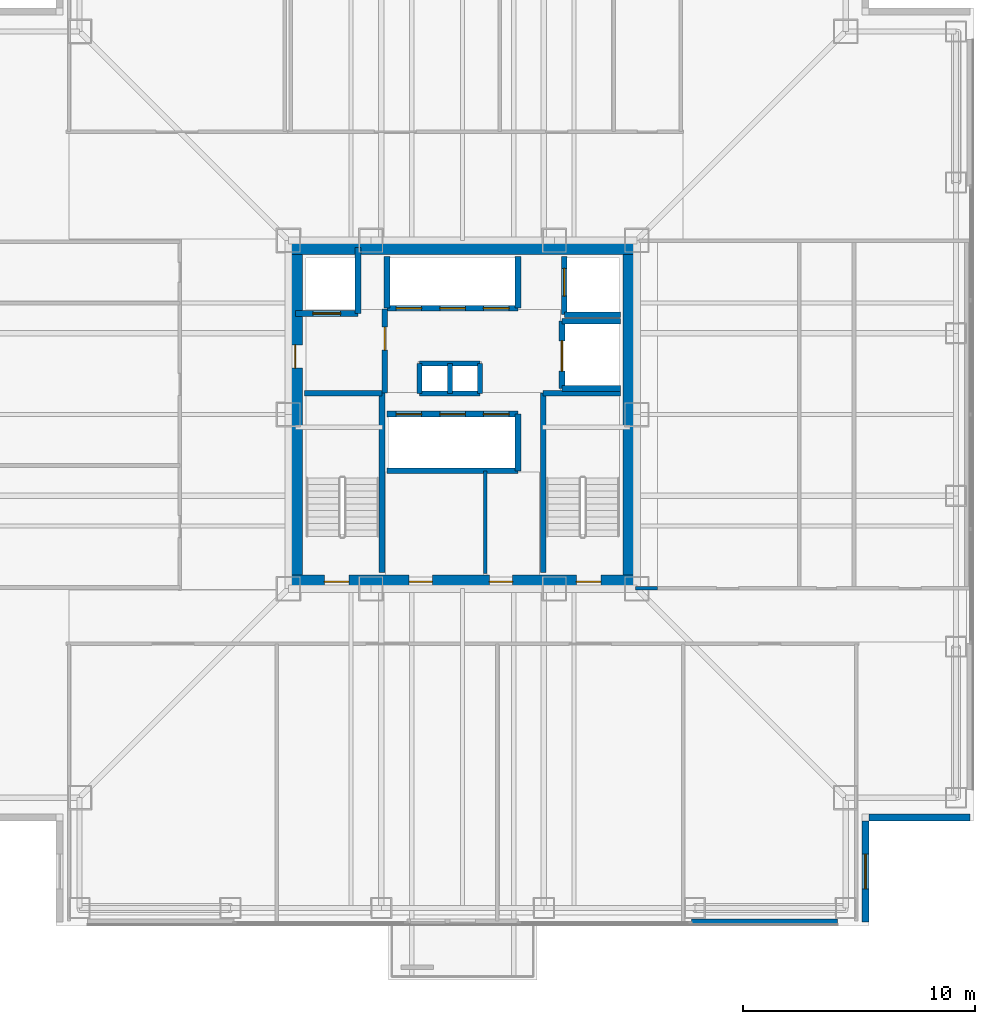
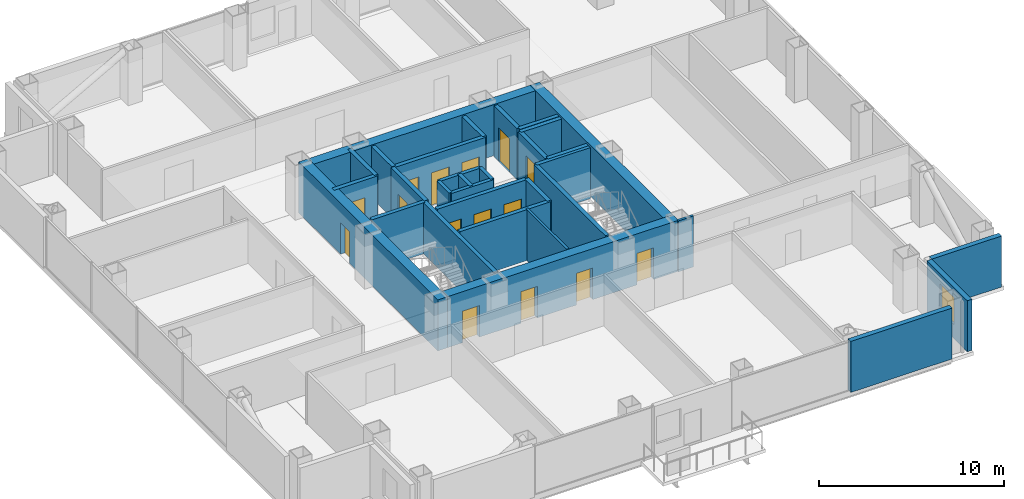
# One storey, part 10 of 14: 32 walls, 15 doors, 1 window, 16 openings.
"""IFC4 building model written with IfcOpenShell, lengths in metres."""

from ifc_helpers import new_model, si_unit, direction, frame, frame_2d, origin, place, context, subcontext, project, spatial, rectangle, extrude, material, layer, layer_set, type_object, element, fill, save


model = new_model("IFC4")

# Units and contexts
model_context = context("Model", 3, precision=1e-05, world=origin(), true_north=direction((0.0, 1.0)))
body_context = subcontext(model_context, "Body", "Model", "MODEL_VIEW")
ifc_project = project(units=[si_unit("LENGTHUNIT", "METRE"), si_unit("AREAUNIT", "SQUARE_METRE"), si_unit("VOLUMEUNIT", "CUBIC_METRE"), si_unit("PLANEANGLEUNIT", "RADIAN"), si_unit("MASSUNIT", "GRAM", prefix="KILO")], contexts=[model_context])

# Site, building, storey
site_placement = place(None, origin())
site = spatial("IfcSite", under=ifc_project, at=site_placement, CompositionType="ELEMENT")
building_placement = place(site_placement, origin())
building = spatial("IfcBuilding", under=site, at=building_placement, Name="Trevonay Congress Spire", CompositionType="ELEMENT")
storey_placement = place(building_placement, frame((0.0, 0.0, 133.60009765625)))
storey = spatial("IfcBuildingStorey", under=building, at=storey_placement, Name="L34", CompositionType="ELEMENT", Elevation=133.60009765625)

# Wall, openings, doors
ifc_material_1 = material(Name="Concrete C60/75", Category="concrete")
ifc_layer_1 = layer(ifc_material_1, 0.60009765625, Name="Concrete C60/75")
ifc_layer_set_1 = layer_set([ifc_layer_1], Name="Concrete C60/75")
wall_type_1 = type_object("IfcWallType", Name="WAL-CORE-600", PredefinedType="SHEAR", material=ifc_layer_set_1)
wall_1_placement = place(storey_placement, frame((-7.5, -7.199951171875, 0.0), z_axis=(0.0, 0.0, 1.0), x_axis=(1.0, 0.0, 0.0)))
wall_1 = element("IfcWall", 1, at=wall_1_placement, inside=storey, type_object=wall_type_1, Name="L34 South structural core shear wall", PredefinedType="SHEAR", context=body_context, shape_type="SweptSolid", body=[
    extrude(rectangle(XDim=15.0, YDim=0.60009765625, at=frame_2d((7.5, 0.0))), origin(), (0.0, 0.0, 1.0), 3.35986328125),
])
opening_1_placement = place(wall_1_placement, frame((1.550048828125, 0.0, 0.0)))
opening_1 = element("IfcOpeningElement", 2, at=opening_1_placement, cuts=wall_1, Name="Opening D05", PredefinedType="OPENING", context=body_context, shape_type="SweptSolid", body=[
    extrude(rectangle(XDim=1.050048828125, YDim=2.080078125, at=frame_2d((0.52490234375, 1.0400390625))), frame((0.0, 0.31005859375, 0.0), z_axis=(0.0, -1.0, 0.0), x_axis=(1.0, 0.0, 0.0)), (0.0, 0.0, 1.0), 0.6201171875),
])
opening_2_placement = place(wall_1_placement, frame((12.39990234375, 0.0, 0.0)))
opening_2 = element("IfcOpeningElement", 3, at=opening_2_placement, cuts=wall_1, Name="Opening D05", PredefinedType="OPENING", context=body_context, shape_type="SweptSolid", body=[
    extrude(rectangle(XDim=1.050048828125, YDim=2.080078125, at=frame_2d((0.52490234375, 1.0400390625))), frame((0.0, 0.31005859375, 0.0), z_axis=(0.0, -1.0, 0.0), x_axis=(1.0, 0.0, 0.0)), (0.0, 0.0, 1.0), 0.6201171875),
])
opening_3_placement = place(wall_1_placement, frame((5.199951171875, 0.0, 0.0)))
opening_3 = element("IfcOpeningElement", 4, at=opening_3_placement, cuts=wall_1, Name="Opening D06", PredefinedType="OPENING", context=body_context, shape_type="SweptSolid", body=[
    extrude(rectangle(XDim=1.0, YDim=2.080078125, at=frame_2d((0.5, 1.0400390625))), frame((0.0, 0.31005859375, 0.0), z_axis=(0.0, -1.0, 0.0), x_axis=(1.0, 0.0, 0.0)), (0.0, 0.0, 1.0), 0.6201171875),
])
opening_4_placement = place(wall_1_placement, frame((8.64990234375, 0.0, 0.0)))
opening_4 = element("IfcOpeningElement", 5, at=opening_4_placement, cuts=wall_1, Name="Opening D06", PredefinedType="OPENING", context=body_context, shape_type="SweptSolid", body=[
    extrude(rectangle(XDim=1.0, YDim=2.080078125, at=frame_2d((0.5, 1.0400390625))), frame((0.0, 0.31005859375, 0.0), z_axis=(0.0, -1.0, 0.0), x_axis=(1.0, 0.0, 0.0)), (0.0, 0.0, 1.0), 0.6201171875),
])
ifc_material_2 = material(Name="Steel ASTM A572 Grade 50", Category="steel")
door_type_1 = type_object("IfcDoorType", Name="DOR-FIRE-100", OperationType="NOTDEFINED", PredefinedType="DOOR", material=ifc_material_2)
door_1_placement = place(opening_3_placement, origin())
door_1 = element("IfcDoor", 6, at=door_1_placement, inside=storey, type_object=door_type_1, Name="L34 South Core Room 1 Door", OperationType="SINGLE_SWING_RIGHT", OverallHeight=2.080078125, OverallWidth=1.0, PredefinedType="DOOR", context=body_context, shape_type="SweptSolid", body=[
    extrude(rectangle(XDim=1.0, YDim=2.080078125, at=frame_2d((0.5, 1.0400390625))), frame((0.0, 0.02490234375, 0.0), z_axis=(0.0, -1.0, 0.0), x_axis=(1.0, 0.0, 0.0)), (0.0, 0.0, 1.0), 0.050048828125),
])
fill(opening_3, door_1)
door_2_placement = place(opening_4_placement, origin())
door_2 = element("IfcDoor", 7, at=door_2_placement, inside=storey, type_object=door_type_1, Name="L34 South Core Room 2 Door", OperationType="SINGLE_SWING_LEFT", OverallHeight=2.080078125, OverallWidth=1.0, PredefinedType="DOOR", context=body_context, shape_type="SweptSolid", body=[
    extrude(rectangle(XDim=1.0, YDim=2.080078125, at=frame_2d((0.5, 1.0400390625))), frame((0.0, 0.02490234375, 0.0), z_axis=(0.0, -1.0, 0.0), x_axis=(1.0, 0.0, 0.0)), (0.0, 0.0, 1.0), 0.050048828125),
])
fill(opening_4, door_2)
door_type_2 = type_object("IfcDoorType", Name="DOR-STAIR-110", OperationType="NOTDEFINED", PredefinedType="DOOR", material=ifc_material_2)
door_3_placement = place(opening_1_placement, origin())
door_3 = element("IfcDoor", 8, at=door_3_placement, inside=storey, type_object=door_type_2, Name="L34 Protected Stair ST-1 Door", OperationType="SINGLE_SWING_LEFT", OverallHeight=2.080078125, OverallWidth=1.050048828125, PredefinedType="DOOR", context=body_context, shape_type="SweptSolid", body=[
    extrude(rectangle(XDim=1.050048828125, YDim=2.080078125, at=frame_2d((0.52490234375, 1.0400390625))), frame((0.0, 0.02490234375, 0.0), z_axis=(0.0, -1.0, 0.0), x_axis=(1.0, 0.0, 0.0)), (0.0, 0.0, 1.0), 0.050048828125),
])
fill(opening_1, door_3)
door_4_placement = place(opening_2_placement, origin())
door_4 = element("IfcDoor", 9, at=door_4_placement, inside=storey, type_object=door_type_2, Name="L34 Protected Stair ST-2 Door", OperationType="SINGLE_SWING_RIGHT", OverallHeight=2.080078125, OverallWidth=1.050048828125, PredefinedType="DOOR", context=body_context, shape_type="SweptSolid", body=[
    extrude(rectangle(XDim=1.050048828125, YDim=2.080078125, at=frame_2d((0.52490234375, 1.0400390625))), frame((0.0, 0.02490234375, 0.0), z_axis=(0.0, -1.0, 0.0), x_axis=(1.0, 0.0, 0.0)), (0.0, 0.0, 1.0), 0.050048828125),
])
fill(opening_2, door_4)

# Wall
wall_2_placement = place(storey_placement, frame((-7.5, 7.199951171875, 0.0), z_axis=(0.0, 0.0, 1.0), x_axis=(1.0, 0.0, 0.0)))
element("IfcWall", 10, at=wall_2_placement, inside=storey, type_object=wall_type_1, Name="L34 North structural core shear wall", PredefinedType="SHEAR", context=body_context, shape_type="SweptSolid", body=[
    extrude(rectangle(XDim=15.0, YDim=0.60009765625, at=frame_2d((7.5, 0.0))), origin(), (0.0, 0.0, 1.0), 3.35986328125),
])

# Wall, opening, door
wall_3_placement = place(storey_placement, frame((-7.199951171875, -7.5, 0.0), z_axis=(0.0, 0.0, 1.0), x_axis=(0.0, 1.0, 0.0)))
wall_3 = element("IfcWall", 11, at=wall_3_placement, inside=storey, type_object=wall_type_1, Name="L34 West structural core shear wall", PredefinedType="SHEAR", context=body_context, shape_type="SweptSolid", body=[
    extrude(rectangle(XDim=15.0, YDim=0.60009765625, at=frame_2d((7.5, 0.0))), origin(), (0.0, 0.0, 1.0), 3.35986328125),
])
opening_5_placement = place(wall_3_placement, frame((9.5, 0.0, 0.0)))
opening_5 = element("IfcOpeningElement", 12, at=opening_5_placement, cuts=wall_3, Name="Opening D06", PredefinedType="OPENING", context=body_context, shape_type="SweptSolid", body=[
    extrude(rectangle(XDim=1.0, YDim=2.080078125, at=frame_2d((0.5, 1.0400390625))), frame((0.0, 0.31005859375, 0.0), z_axis=(0.0, -1.0, 0.0), x_axis=(1.0, 0.0, 0.0)), (0.0, 0.0, 1.0), 0.6201171875),
])
door_5_placement = place(opening_5_placement, origin())
door_5 = element("IfcDoor", 13, at=door_5_placement, inside=storey, type_object=door_type_1, Name="L34 Firefighting Lift Lobby West Corridor Door", OperationType="SINGLE_SWING_LEFT", OverallHeight=2.080078125, OverallWidth=1.0, PredefinedType="DOOR", context=body_context, shape_type="SweptSolid", body=[
    extrude(rectangle(XDim=1.0, YDim=2.080078125, at=frame_2d((0.5, 1.0400390625))), frame((0.0, 0.02490234375, 0.0), z_axis=(0.0, -1.0, 0.0), x_axis=(1.0, 0.0, 0.0)), (0.0, 0.0, 1.0), 0.050048828125),
])
fill(opening_5, door_5)

# Walls
wall_4_placement = place(storey_placement, frame((7.199951171875, -7.5, 0.0), z_axis=(0.0, 0.0, 1.0), x_axis=(0.0, 1.0, 0.0)))
element("IfcWall", 14, at=wall_4_placement, inside=storey, type_object=wall_type_1, Name="L34 East structural core shear wall", PredefinedType="SHEAR", context=body_context, shape_type="SweptSolid", body=[
    extrude(rectangle(XDim=15.0, YDim=0.60009765625, at=frame_2d((7.5, 0.0))), origin(), (0.0, 0.0, 1.0), 3.35986328125),
])
ifc_material_3 = material(Name="Concrete C40/50", Category="concrete")
ifc_layer_2 = layer(ifc_material_3, 0.14990234375, Name="Concrete C40/50")
ifc_layer_set_2 = layer_set([ifc_layer_2], Name="Concrete C40/50")
wall_type_2 = type_object("IfcWallType", Name="WAL-CORR-150", PredefinedType="PARTITIONING", material=ifc_layer_set_2)
wall_5_placement = place(storey_placement, frame((7.449951171875, -7.47998046875, 0.0), z_axis=(0.0, 0.0, 1.0), x_axis=(1.0, 0.0, 0.0)))
element("IfcWall", 15, at=wall_5_placement, inside=storey, type_object=wall_type_2, Name="L34 interior wall WP-L34E-STUB", PredefinedType="PARTITIONING", context=body_context, shape_type="SweptSolid", body=[
    extrude(rectangle(XDim=0.949951171875, YDim=0.14990234375, at=frame_2d((0.47509765625, 0.0))), origin(), (0.0, 0.0, 1.0), 3.35986328125),
])
ifc_material_4 = material(Name="Precast concrete C40/50", Category="concrete")
ifc_layer_3 = layer(ifc_material_4, 0.300048828125, Name="Precast concrete C40/50")
ifc_layer_set_3 = layer_set([ifc_layer_3], Name="Precast concrete C40/50")
wall_type_3 = type_object("IfcWallType", Name="WAL-EXT-PRECAST-300", PredefinedType="SOLIDWALL", material=ifc_layer_set_3)
wall_6_placement = place(storey_placement, frame((9.85009765625, -21.8798828125, 0.0), z_axis=(0.0, 0.0, 1.0), x_axis=(1.0, 0.0, 0.0)))
element("IfcWall", 16, at=wall_6_placement, inside=storey, type_object=wall_type_3, Name="L34 SR braced-bay exterior pier wall", PredefinedType="SOLIDWALL", context=body_context, shape_type="SweptSolid", body=[
    extrude(rectangle(XDim=6.2998046875, YDim=0.300048828125, at=frame_2d((3.14990234375, 0.0))), origin(), (0.0, 0.0, 1.0), 3.35986328125),
])

# Wall, opening, window
wall_7_placement = place(storey_placement, frame((17.35009765625, -21.85009765625, 0.0), z_axis=(0.0, 0.0, 1.0), x_axis=(0.0, 1.0, 0.0)))
wall_7 = element("IfcWall", 17, at=wall_7_placement, inside=storey, type_object=wall_type_3, Name="L34 SE re-entrant notch exterior wall 1", PredefinedType="SOLIDWALL", context=body_context, shape_type="SweptSolid", body=[
    extrude(rectangle(XDim=4.35009765625, YDim=0.300048828125, at=frame_2d((2.175048828125, 0.0))), origin(), (0.0, 0.0, 1.0), 3.35986328125),
])
opening_6_placement = place(wall_7_placement, frame((1.425048828125, 0.0, 0.89990234375)))
opening_6 = element("IfcOpeningElement", 18, at=opening_6_placement, cuts=wall_7, Name="Opening WN03", PredefinedType="OPENING", context=body_context, shape_type="SweptSolid", body=[
    extrude(rectangle(XDim=1.5, YDim=1.800048828125, at=frame_2d((0.75, 0.89990234375))), frame((0.0, 0.16015625, 0.0), z_axis=(0.0, -1.0, 0.0), x_axis=(1.0, 0.0, 0.0)), (0.0, 0.0, 1.0), 0.320068359375),
])
ifc_material_5 = material(Name="Insulated Low-E Vision Glass IGU", Category="glass")
window_type = type_object("IfcWindowType", Name="WIN-NOTCH-150X180", PartitioningType="SINGLE_PANEL", PredefinedType="WINDOW", material=ifc_material_5)
window_placement = place(opening_6_placement, origin())
window = element("IfcWindow", 19, at=window_placement, inside=storey, type_object=window_type, Name="L34 SE corner notch window", OverallHeight=1.800048828125, OverallWidth=1.5, PartitioningType="SINGLE_PANEL", PredefinedType="WINDOW", context=body_context, shape_type="SweptSolid", body=[
    extrude(rectangle(XDim=1.5, YDim=1.800048828125, at=frame_2d((0.75, 0.89990234375))), frame((0.0, 0.030029296875, 0.0), z_axis=(0.0, -1.0, 0.0), x_axis=(1.0, 0.0, 0.0)), (0.0, 0.0, 1.0), 0.06005859375),
])
fill(opening_6, window)

# Walls
wall_8_placement = place(storey_placement, frame((21.85009765625, -17.35009765625, 0.0), z_axis=(0.0, 0.0, 1.0), x_axis=(-1.0, 0.0, 0.0)))
element("IfcWall", 20, at=wall_8_placement, inside=storey, type_object=wall_type_3, Name="L34 SE re-entrant notch exterior wall 2", PredefinedType="SOLIDWALL", context=body_context, shape_type="SweptSolid", body=[
    extrude(rectangle(XDim=4.35009765625, YDim=0.300048828125, at=frame_2d((2.175048828125, 0.0))), origin(), (0.0, 0.0, 1.0), 3.35986328125),
])
ifc_layer_4 = layer(ifc_material_3, 0.14990234375, Name="Concrete C40/50")
ifc_layer_set_4 = layer_set([ifc_layer_4], Name="Concrete C40/50")
wall_type_4 = type_object("IfcWallType", Name="WAL-PART-150", PredefinedType="PARTITIONING", material=ifc_layer_set_4)
wall_9_placement = place(storey_placement, frame((0.97998046875, -6.85009765625, 0.0), z_axis=(0.0, 0.0, 1.0), x_axis=(0.0, 1.0, 0.0)))
element("IfcWall", 21, at=wall_9_placement, inside=storey, type_object=wall_type_4, Name="L34 interior wall CW-F3-L34", PredefinedType="PARTITIONING", context=body_context, shape_type="SweptSolid", body=[
    extrude(rectangle(XDim=4.420166015625, YDim=0.14990234375, at=frame_2d((2.2099609375, 0.0))), origin(), (0.0, 0.0, 1.0), 3.35986328125),
])
ifc_layer_5 = layer(ifc_material_3, 0.219970703125, Name="Concrete C40/50")
ifc_layer_set_5 = layer_set([ifc_layer_5], Name="Concrete C40/50")
wall_type_5 = type_object("IfcWallType", Name="WAL-SHAFT-220", PredefinedType="PARTITIONING", material=ifc_layer_set_5)
for number, where, z_axis, x_axis, name in (
    (22, (-1.85009765625, 2.199951171875, 0.0), (0.0, 0.0, 1.0), (1.0, 0.0, 0.0), "L34 interior shaft wall WSH-L34-RSR-N"),
    (23, (-1.85009765625, 0.89990234375, 0.0), (0.0, 0.0, 1.0), (1.0, 0.0, 0.0), "L34 interior shaft wall WSH-L34-RSR-S"),
):
    element("IfcWall", number, at=place(storey_placement, frame(where, z_axis=z_axis, x_axis=x_axis)), inside=storey, type_object=wall_type_5, Name=name, PredefinedType="PARTITIONING", context=body_context, shape_type="SweptSolid", body=[
        extrude(rectangle(XDim=2.60009765625, YDim=0.219970703125, at=frame_2d((1.300048828125, 0.0))), origin(), (0.0, 0.0, 1.0), 3.35986328125),
    ])
for number, where, z_axis, x_axis, name in (
    (24, (-0.550048828125, 0.89990234375, 0.0), (0.0, 0.0, 1.0), (0.0, 1.0, 0.0), "L34 interior shaft wall WSH-L34-RSR-M"),
    (25, (0.75, 0.89990234375, 0.0), (0.0, 0.0, 1.0), (0.0, 1.0, 0.0), "L34 interior shaft wall WSH-L34-RSR-E"),
    (26, (-1.85009765625, 0.89990234375, 0.0), (0.0, 0.0, 1.0), (0.0, 1.0, 0.0), "L34 interior shaft wall WSH-L34-RSR-W"),
):
    element("IfcWall", number, at=place(storey_placement, frame(where, z_axis=z_axis, x_axis=x_axis)), inside=storey, type_object=wall_type_5, Name=name, PredefinedType="PARTITIONING", context=body_context, shape_type="SweptSolid", body=[
        extrude(rectangle(XDim=1.300048828125, YDim=0.219970703125, at=frame_2d((0.64990234375, 0.0))), origin(), (0.0, 0.0, 1.0), 3.35986328125),
    ])

# Wall, openings, doors
ifc_layer_6 = layer(ifc_material_3, 0.25, Name="Concrete C40/50")
ifc_layer_set_6 = layer_set([ifc_layer_6], Name="Concrete C40/50")
wall_type_6 = type_object("IfcWallType", Name="WAL-SHAFT-250", PredefinedType="SHEAR", material=ifc_layer_set_6)
wall_10_placement = place(storey_placement, frame((-3.260009765625, 0.02001953125, 0.0), z_axis=(0.0, 0.0, 1.0), x_axis=(1.0, 0.0, 0.0)))
wall_10 = element("IfcWall", 27, at=wall_10_placement, inside=storey, type_object=wall_type_6, Name="L34 interior shaft wall WSH-L34-B2-N", PredefinedType="SHEAR", context=body_context, shape_type="SweptSolid", body=[
    extrude(rectangle(XDim=5.639892578125, YDim=0.25, at=frame_2d((2.81982421875, 0.0))), origin(), (0.0, 0.0, 1.0), 3.35986328125),
])
opening_7_placement = place(wall_10_placement, frame((0.39990234375, 0.0, 0.0)))
opening_7 = element("IfcOpeningElement", 28, at=opening_7_placement, cuts=wall_10, Name="Opening LD02", PredefinedType="OPENING", context=body_context, shape_type="SweptSolid", body=[
    extrude(rectangle(XDim=1.10009765625, YDim=2.199951171875, at=frame_2d((0.550048828125, 1.10009765625))), frame((0.0, 0.135009765625, 0.0), z_axis=(0.0, -1.0, 0.0), x_axis=(1.0, 0.0, 0.0)), (0.0, 0.0, 1.0), 0.27001953125),
])
opening_8_placement = place(wall_10_placement, frame((2.280029296875, 0.0, 0.0)))
opening_8 = element("IfcOpeningElement", 29, at=opening_8_placement, cuts=wall_10, Name="Opening LD02", PredefinedType="OPENING", context=body_context, shape_type="SweptSolid", body=[
    extrude(rectangle(XDim=1.10009765625, YDim=2.199951171875, at=frame_2d((0.550048828125, 1.10009765625))), frame((0.0, 0.135009765625, 0.0), z_axis=(0.0, -1.0, 0.0), x_axis=(1.0, 0.0, 0.0)), (0.0, 0.0, 1.0), 0.27001953125),
])
opening_9_placement = place(wall_10_placement, frame((4.159912109375, 0.0, 0.0)))
opening_9 = element("IfcOpeningElement", 30, at=opening_9_placement, cuts=wall_10, Name="Opening LD02", PredefinedType="OPENING", context=body_context, shape_type="SweptSolid", body=[
    extrude(rectangle(XDim=1.10009765625, YDim=2.199951171875, at=frame_2d((0.550048828125, 1.10009765625))), frame((0.0, 0.135009765625, 0.0), z_axis=(0.0, -1.0, 0.0), x_axis=(1.0, 0.0, 0.0)), (0.0, 0.0, 1.0), 0.27001953125),
])
ifc_material_6 = material(Name="Pale Anodised Aluminium EN AW-6063-T6", Category="aluminium")
door_type_3 = type_object("IfcDoorType", Name="DOR-LIFT-LD02", OperationType="DOUBLE_DOOR_SLIDING", PredefinedType="DOOR", material=ifc_material_6)
door_6_placement = place(opening_7_placement, origin())
door_6 = element("IfcDoor", 31, at=door_6_placement, inside=storey, type_object=door_type_3, Name="L34 Passenger lift PL-04 landing door", OperationType="DOUBLE_DOOR_SLIDING", OverallHeight=2.199951171875, OverallWidth=1.10009765625, PredefinedType="DOOR", context=body_context, shape_type="SweptSolid", body=[
    extrude(rectangle(XDim=1.10009765625, YDim=2.199951171875, at=frame_2d((0.550048828125, 1.10009765625))), frame((0.0, 0.02490234375, 0.0), z_axis=(0.0, -1.0, 0.0), x_axis=(1.0, 0.0, 0.0)), (0.0, 0.0, 1.0), 0.050048828125),
])
fill(opening_7, door_6)
door_7_placement = place(opening_8_placement, origin())
door_7 = element("IfcDoor", 32, at=door_7_placement, inside=storey, type_object=door_type_3, Name="L34 Passenger lift PL-05 landing door", OperationType="DOUBLE_DOOR_SLIDING", OverallHeight=2.199951171875, OverallWidth=1.10009765625, PredefinedType="DOOR", context=body_context, shape_type="SweptSolid", body=[
    extrude(rectangle(XDim=1.10009765625, YDim=2.199951171875, at=frame_2d((0.550048828125, 1.10009765625))), frame((0.0, 0.02490234375, 0.0), z_axis=(0.0, -1.0, 0.0), x_axis=(1.0, 0.0, 0.0)), (0.0, 0.0, 1.0), 0.050048828125),
])
fill(opening_8, door_7)
door_8_placement = place(opening_9_placement, origin())
door_8 = element("IfcDoor", 33, at=door_8_placement, inside=storey, type_object=door_type_3, Name="L34 Passenger lift PL-06 landing door", OperationType="DOUBLE_DOOR_SLIDING", OverallHeight=2.199951171875, OverallWidth=1.10009765625, PredefinedType="DOOR", context=body_context, shape_type="SweptSolid", body=[
    extrude(rectangle(XDim=1.10009765625, YDim=2.199951171875, at=frame_2d((0.550048828125, 1.10009765625))), frame((0.0, 0.02490234375, 0.0), z_axis=(0.0, -1.0, 0.0), x_axis=(1.0, 0.0, 0.0)), (0.0, 0.0, 1.0), 0.050048828125),
])
fill(opening_9, door_8)

# Walls
wall_11_placement = place(storey_placement, frame((-3.260009765625, -2.419921875, 0.0), z_axis=(0.0, 0.0, 1.0), x_axis=(1.0, 0.0, 0.0)))
element("IfcWall", 34, at=wall_11_placement, inside=storey, type_object=wall_type_6, Name="L34 interior shaft wall WSH-L34-B2-S", PredefinedType="SHEAR", context=body_context, shape_type="SweptSolid", body=[
    extrude(rectangle(XDim=5.639892578125, YDim=0.25, at=frame_2d((2.81982421875, 0.0))), origin(), (0.0, 0.0, 1.0), 3.35986328125),
])
wall_12_placement = place(storey_placement, frame((2.3798828125, -2.419921875, 0.0), z_axis=(0.0, 0.0, 1.0), x_axis=(0.0, 1.0, 0.0)))
element("IfcWall", 35, at=wall_12_placement, inside=storey, type_object=wall_type_6, Name="L34 interior shaft wall WSH-L34-B2-E", PredefinedType="SHEAR", context=body_context, shape_type="SweptSolid", body=[
    extrude(rectangle(XDim=2.43994140625, YDim=0.25, at=frame_2d((1.219970703125, 0.0))), origin(), (0.0, 0.0, 1.0), 3.35986328125),
])

# Wall, openings, doors
wall_13_placement = place(storey_placement, frame((-3.260009765625, 4.580078125, 0.0), z_axis=(0.0, 0.0, 1.0), x_axis=(1.0, 0.0, 0.0)))
wall_13 = element("IfcWall", 36, at=wall_13_placement, inside=storey, type_object=wall_type_6, Name="L34 interior shaft wall WSH-L34-B3-S", PredefinedType="SHEAR", context=body_context, shape_type="SweptSolid", body=[
    extrude(rectangle(XDim=5.639892578125, YDim=0.25, at=frame_2d((2.81982421875, 0.0))), origin(), (0.0, 0.0, 1.0), 3.35986328125),
])
opening_10_placement = place(wall_13_placement, frame((0.39990234375, 0.0, 0.0)))
opening_10 = element("IfcOpeningElement", 37, at=opening_10_placement, cuts=wall_13, Name="Opening LD03", PredefinedType="OPENING", context=body_context, shape_type="SweptSolid", body=[
    extrude(rectangle(XDim=1.10009765625, YDim=2.199951171875, at=frame_2d((0.550048828125, 1.10009765625))), frame((0.0, 0.135009765625, 0.0), z_axis=(0.0, -1.0, 0.0), x_axis=(1.0, 0.0, 0.0)), (0.0, 0.0, 1.0), 0.27001953125),
])
opening_11_placement = place(wall_13_placement, frame((2.280029296875, 0.0, 0.0)))
opening_11 = element("IfcOpeningElement", 38, at=opening_11_placement, cuts=wall_13, Name="Opening LD03", PredefinedType="OPENING", context=body_context, shape_type="SweptSolid", body=[
    extrude(rectangle(XDim=1.10009765625, YDim=2.199951171875, at=frame_2d((0.550048828125, 1.10009765625))), frame((0.0, 0.135009765625, 0.0), z_axis=(0.0, -1.0, 0.0), x_axis=(1.0, 0.0, 0.0)), (0.0, 0.0, 1.0), 0.27001953125),
])
opening_12_placement = place(wall_13_placement, frame((4.159912109375, 0.0, 0.0)))
opening_12 = element("IfcOpeningElement", 39, at=opening_12_placement, cuts=wall_13, Name="Opening LD03", PredefinedType="OPENING", context=body_context, shape_type="SweptSolid", body=[
    extrude(rectangle(XDim=1.10009765625, YDim=2.199951171875, at=frame_2d((0.550048828125, 1.10009765625))), frame((0.0, 0.135009765625, 0.0), z_axis=(0.0, -1.0, 0.0), x_axis=(1.0, 0.0, 0.0)), (0.0, 0.0, 1.0), 0.27001953125),
])
door_type_4 = type_object("IfcDoorType", Name="DOR-LIFT-LD03", OperationType="DOUBLE_DOOR_SLIDING", PredefinedType="DOOR", material=ifc_material_6)
door_9_placement = place(opening_10_placement, origin())
door_9 = element("IfcDoor", 40, at=door_9_placement, inside=storey, type_object=door_type_4, Name="L34 Passenger lift PL-07 landing door", OperationType="DOUBLE_DOOR_SLIDING", OverallHeight=2.199951171875, OverallWidth=1.10009765625, PredefinedType="DOOR", context=body_context, shape_type="SweptSolid", body=[
    extrude(rectangle(XDim=1.10009765625, YDim=2.199951171875, at=frame_2d((0.550048828125, 1.10009765625))), frame((0.0, 0.02490234375, 0.0), z_axis=(0.0, -1.0, 0.0), x_axis=(1.0, 0.0, 0.0)), (0.0, 0.0, 1.0), 0.050048828125),
])
fill(opening_10, door_9)
door_10_placement = place(opening_11_placement, origin())
door_10 = element("IfcDoor", 41, at=door_10_placement, inside=storey, type_object=door_type_4, Name="L34 Passenger lift PL-08 landing door", OperationType="DOUBLE_DOOR_SLIDING", OverallHeight=2.199951171875, OverallWidth=1.10009765625, PredefinedType="DOOR", context=body_context, shape_type="SweptSolid", body=[
    extrude(rectangle(XDim=1.10009765625, YDim=2.199951171875, at=frame_2d((0.550048828125, 1.10009765625))), frame((0.0, 0.02490234375, 0.0), z_axis=(0.0, -1.0, 0.0), x_axis=(1.0, 0.0, 0.0)), (0.0, 0.0, 1.0), 0.050048828125),
])
fill(opening_11, door_10)
door_11_placement = place(opening_12_placement, origin())
door_11 = element("IfcDoor", 42, at=door_11_placement, inside=storey, type_object=door_type_4, Name="L34 Passenger lift PL-09 landing door", OperationType="DOUBLE_DOOR_SLIDING", OverallHeight=2.199951171875, OverallWidth=1.10009765625, PredefinedType="DOOR", context=body_context, shape_type="SweptSolid", body=[
    extrude(rectangle(XDim=1.10009765625, YDim=2.199951171875, at=frame_2d((0.550048828125, 1.10009765625))), frame((0.0, 0.02490234375, 0.0), z_axis=(0.0, -1.0, 0.0), x_axis=(1.0, 0.0, 0.0)), (0.0, 0.0, 1.0), 0.050048828125),
])
fill(opening_12, door_11)

# Walls
for number, where, z_axis, x_axis, name in (
    (43, (-3.260009765625, 4.580078125, 0.0), (0.0, 0.0, 1.0), (0.0, 1.0, 0.0), "L34 interior shaft wall WSH-L34-B3-W"),
    (44, (2.3798828125, 4.580078125, 0.0), (0.0, 0.0, 1.0), (0.0, 1.0, 0.0), "L34 interior shaft wall WSH-L34-B3-E"),
):
    element("IfcWall", number, at=place(storey_placement, frame(where, z_axis=z_axis, x_axis=x_axis)), inside=storey, type_object=wall_type_6, Name=name, PredefinedType="SHEAR", context=body_context, shape_type="SweptSolid", body=[
        extrude(rectangle(XDim=2.219970703125, YDim=0.25, at=frame_2d((1.10986328125, 0.0))), origin(), (0.0, 0.0, 1.0), 3.35986328125),
    ])

# Wall, opening, door
wall_14_placement = place(storey_placement, frame((-7.199951171875, 4.35009765625, 0.0), z_axis=(0.0, 0.0, 1.0), x_axis=(1.0, 0.0, 0.0)))
wall_14 = element("IfcWall", 45, at=wall_14_placement, inside=storey, type_object=wall_type_6, Name="L34 interior shaft wall WSH-L34-FF1-S", PredefinedType="SHEAR", context=body_context, shape_type="SweptSolid", body=[
    extrude(rectangle(XDim=2.699951171875, YDim=0.25, at=frame_2d((1.35009765625, 0.0))), origin(), (0.0, 0.0, 1.0), 3.35986328125),
])
opening_13_placement = place(wall_14_placement, frame((0.75, 0.0, 0.0)))
opening_13 = element("IfcOpeningElement", 46, at=opening_13_placement, cuts=wall_14, Name="Opening LD04", PredefinedType="OPENING", context=body_context, shape_type="SweptSolid", body=[
    extrude(rectangle(XDim=1.199951171875, YDim=2.199951171875, at=frame_2d((0.60009765625, 1.10009765625))), frame((0.0, 0.135009765625, 0.0), z_axis=(0.0, -1.0, 0.0), x_axis=(1.0, 0.0, 0.0)), (0.0, 0.0, 1.0), 0.27001953125),
])
door_type_5 = type_object("IfcDoorType", Name="DOR-LIFT-LD04", OperationType="DOUBLE_DOOR_SLIDING", PredefinedType="DOOR", material=ifc_material_2)
door_12_placement = place(opening_13_placement, origin())
door_12 = element("IfcDoor", 47, at=door_12_placement, inside=storey, type_object=door_type_5, Name="L34 Firefighting lift FFL-01 landing door", OperationType="DOUBLE_DOOR_SLIDING", OverallHeight=2.199951171875, OverallWidth=1.199951171875, PredefinedType="DOOR", context=body_context, shape_type="SweptSolid", body=[
    extrude(rectangle(XDim=1.199951171875, YDim=2.199951171875, at=frame_2d((0.60009765625, 1.10009765625))), frame((0.0, 0.02490234375, 0.0), z_axis=(0.0, -1.0, 0.0), x_axis=(1.0, 0.0, 0.0)), (0.0, 0.0, 1.0), 0.050048828125),
])
fill(opening_13, door_12)

# Walls
wall_15_placement = place(storey_placement, frame((-4.5, 4.35009765625, 0.0), z_axis=(0.0, 0.0, 1.0), x_axis=(0.0, 1.0, 0.0)))
element("IfcWall", 48, at=wall_15_placement, inside=storey, type_object=wall_type_6, Name="L34 interior shaft wall WSH-L34-FF1-E", PredefinedType="SHEAR", context=body_context, shape_type="SweptSolid", body=[
    extrude(rectangle(XDim=2.849853515625, YDim=0.25, at=frame_2d((1.4248046875, 0.0))), origin(), (0.0, 0.0, 1.0), 3.35986328125),
])
wall_16_placement = place(storey_placement, frame((4.3798828125, 4.300048828125, 0.0), z_axis=(0.0, 0.0, 1.0), x_axis=(1.0, 0.0, 0.0)))
element("IfcWall", 49, at=wall_16_placement, inside=storey, type_object=wall_type_6, Name="L34 interior shaft wall WSH-L34-FF2-S", PredefinedType="SHEAR", context=body_context, shape_type="SweptSolid", body=[
    extrude(rectangle(XDim=2.420166015625, YDim=0.25, at=frame_2d((1.2099609375, 0.0))), origin(), (0.0, 0.0, 1.0), 3.35986328125),
])

# Wall, opening, door
wall_17_placement = place(storey_placement, frame((4.3798828125, 4.300048828125, 0.0), z_axis=(0.0, 0.0, 1.0), x_axis=(0.0, 1.0, 0.0)))
wall_17 = element("IfcWall", 50, at=wall_17_placement, inside=storey, type_object=wall_type_6, Name="L34 interior shaft wall WSH-L34-FF2-W", PredefinedType="SHEAR", context=body_context, shape_type="SweptSolid", body=[
    extrude(rectangle(XDim=2.5, YDim=0.25, at=frame_2d((1.25, 0.0))), origin(), (0.0, 0.0, 1.0), 3.35986328125),
])
opening_14_placement = place(wall_17_placement, frame((0.800048828125, 0.0, 0.0)))
opening_14 = element("IfcOpeningElement", 51, at=opening_14_placement, cuts=wall_17, Name="Opening LD04", PredefinedType="OPENING", context=body_context, shape_type="SweptSolid", body=[
    extrude(rectangle(XDim=1.199951171875, YDim=2.199951171875, at=frame_2d((0.60009765625, 1.10009765625))), frame((0.0, 0.135009765625, 0.0), z_axis=(0.0, -1.0, 0.0), x_axis=(1.0, 0.0, 0.0)), (0.0, 0.0, 1.0), 0.27001953125),
])
door_13_placement = place(opening_14_placement, origin())
door_13 = element("IfcDoor", 52, at=door_13_placement, inside=storey, type_object=door_type_5, Name="L34 Firefighting lift FFL-02 landing door", OperationType="DOUBLE_DOOR_SLIDING", OverallHeight=2.199951171875, OverallWidth=1.199951171875, PredefinedType="DOOR", context=body_context, shape_type="SweptSolid", body=[
    extrude(rectangle(XDim=1.199951171875, YDim=2.199951171875, at=frame_2d((0.60009765625, 1.10009765625))), frame((0.0, 0.02490234375, 0.0), z_axis=(0.0, -1.0, 0.0), x_axis=(1.0, 0.0, 0.0)), (0.0, 0.0, 1.0), 0.050048828125),
])
fill(opening_14, door_13)

wall_18_placement = place(storey_placement, frame((4.280029296875, 1.1201171875, 0.0), z_axis=(0.0, 0.0, 1.0), x_axis=(0.0, 1.0, 0.0)))
wall_18 = element("IfcWall", 53, at=wall_18_placement, inside=storey, type_object=wall_type_6, Name="L34 interior shaft wall WSH-L34-SV-W", PredefinedType="SHEAR", context=body_context, shape_type="SweptSolid", body=[
    extrude(rectangle(XDim=2.89990234375, YDim=0.25, at=frame_2d((1.449951171875, 0.0))), origin(), (0.0, 0.0, 1.0), 3.35986328125),
])
opening_15_placement = place(wall_18_placement, frame((0.75, 0.0, 0.0)))
opening_15 = element("IfcOpeningElement", 54, at=opening_15_placement, cuts=wall_18, Name="Opening LD05", PredefinedType="OPENING", context=body_context, shape_type="SweptSolid", body=[
    extrude(rectangle(XDim=1.300048828125, YDim=2.300048828125, at=frame_2d((0.64990234375, 1.14990234375))), frame((0.0, 0.135009765625, 0.0), z_axis=(0.0, -1.0, 0.0), x_axis=(1.0, 0.0, 0.0)), (0.0, 0.0, 1.0), 0.27001953125),
])
door_type_6 = type_object("IfcDoorType", Name="DOR-LIFT-LD05", OperationType="DOUBLE_DOOR_SLIDING", PredefinedType="DOOR", material=ifc_material_2)
door_14_placement = place(opening_15_placement, origin())
door_14 = element("IfcDoor", 55, at=door_14_placement, inside=storey, type_object=door_type_6, Name="L34 Goods lift SVL-01 landing door", OperationType="DOUBLE_DOOR_SLIDING", OverallHeight=2.300048828125, OverallWidth=1.300048828125, PredefinedType="DOOR", context=body_context, shape_type="SweptSolid", body=[
    extrude(rectangle(XDim=1.300048828125, YDim=2.300048828125, at=frame_2d((0.64990234375, 1.14990234375))), frame((0.0, 0.02490234375, 0.0), z_axis=(0.0, -1.0, 0.0), x_axis=(1.0, 0.0, 0.0)), (0.0, 0.0, 1.0), 0.050048828125),
])
fill(opening_15, door_14)

# Walls
for number, where, z_axis, x_axis, name in (
    (56, (4.280029296875, 1.1201171875, 0.0), (0.0, 0.0, 1.0), (1.0, 0.0, 0.0), "L34 interior shaft wall WSH-L34-SV-S"),
    (57, (4.280029296875, 4.02001953125, 0.0), (0.0, 0.0, 1.0), (1.0, 0.0, 0.0), "L34 interior shaft wall WSH-L34-SV-N"),
):
    element("IfcWall", number, at=place(storey_placement, frame(where, z_axis=z_axis, x_axis=x_axis)), inside=storey, type_object=wall_type_6, Name=name, PredefinedType="SHEAR", context=body_context, shape_type="SweptSolid", body=[
        extrude(rectangle(XDim=2.52001953125, YDim=0.25, at=frame_2d((1.260009765625, 0.0))), origin(), (0.0, 0.0, 1.0), 3.35986328125),
    ])

# Wall, opening, door
wall_19_placement = place(storey_placement, frame((-3.35009765625, 0.919921875, 0.0), z_axis=(0.0, 0.0, 1.0), x_axis=(0.0, 1.0, 0.0)))
wall_19 = element("IfcWall", 58, at=wall_19_placement, inside=storey, type_object=wall_type_6, Name="L34 interior wall CW-FFLW-E-L34", PredefinedType="SHEAR", context=body_context, shape_type="SweptSolid", body=[
    extrude(rectangle(XDim=3.6201171875, YDim=0.25, at=frame_2d((1.81005859375, 0.0))), origin(), (0.0, 0.0, 1.0), 3.35986328125),
])
opening_16_placement = place(wall_19_placement, frame((1.85009765625, 0.0, 0.0)))
opening_16 = element("IfcOpeningElement", 59, at=opening_16_placement, cuts=wall_19, Name="Opening D06", PredefinedType="OPENING", context=body_context, shape_type="SweptSolid", body=[
    extrude(rectangle(XDim=1.0, YDim=2.080078125, at=frame_2d((0.5, 1.0400390625))), frame((0.0, 0.135009765625, 0.0), z_axis=(0.0, -1.0, 0.0), x_axis=(1.0, 0.0, 0.0)), (0.0, 0.0, 1.0), 0.27001953125),
])
door_15_placement = place(opening_16_placement, origin())
door_15 = element("IfcDoor", 60, at=door_15_placement, inside=storey, type_object=door_type_1, Name="L34 Firefighting Core Lobby Transfer Door", OperationType="SINGLE_SWING_RIGHT", OverallHeight=2.080078125, OverallWidth=1.0, PredefinedType="DOOR", context=body_context, shape_type="SweptSolid", body=[
    extrude(rectangle(XDim=1.0, YDim=2.080078125, at=frame_2d((0.5, 1.0400390625))), frame((0.0, 0.02490234375, 0.0), z_axis=(0.0, -1.0, 0.0), x_axis=(1.0, 0.0, 0.0)), (0.0, 0.0, 1.0), 0.050048828125),
])
fill(opening_16, door_15)

# Walls
ifc_layer_7 = layer(ifc_material_3, 0.25, Name="Concrete C40/50")
ifc_layer_set_7 = layer_set([ifc_layer_7], Name="Concrete C40/50")
wall_type_7 = type_object("IfcWallType", Name="WAL-SHAFT-LB-250", PredefinedType="SHEAR", material=ifc_layer_set_7)
wall_20_placement = place(storey_placement, frame((-3.469970703125, -6.800048828125, 0.0), z_axis=(0.0, 0.0, 1.0), x_axis=(0.0, 1.0, 0.0)))
element("IfcWall", 61, at=wall_20_placement, inside=storey, type_object=wall_type_7, Name="L34 interior shaft wall WSH-L34-ST1-E", PredefinedType="SHEAR", context=body_context, shape_type="SweptSolid", body=[
    extrude(rectangle(XDim=7.719970703125, YDim=0.25, at=frame_2d((3.85986328125, 0.0))), origin(), (0.0, 0.0, 1.0), 3.35986328125),
])
wall_21_placement = place(storey_placement, frame((-6.800048828125, 0.919921875, 0.0), z_axis=(0.0, 0.0, 1.0), x_axis=(1.0, 0.0, 0.0)))
element("IfcWall", 62, at=wall_21_placement, inside=storey, type_object=wall_type_7, Name="L34 interior shaft wall WSH-L34-ST1-N", PredefinedType="SHEAR", context=body_context, shape_type="SweptSolid", body=[
    extrude(rectangle(XDim=3.330078125, YDim=0.25, at=frame_2d((1.6650390625, 0.0))), origin(), (0.0, 0.0, 1.0), 3.35986328125),
])
wall_22_placement = place(storey_placement, frame((3.469970703125, -6.800048828125, 0.0), z_axis=(0.0, 0.0, 1.0), x_axis=(0.0, 1.0, 0.0)))
element("IfcWall", 63, at=wall_22_placement, inside=storey, type_object=wall_type_7, Name="L34 interior shaft wall WSH-L34-ST2-W", PredefinedType="SHEAR", context=body_context, shape_type="SweptSolid", body=[
    extrude(rectangle(XDim=7.719970703125, YDim=0.25, at=frame_2d((3.85986328125, 0.0))), origin(), (0.0, 0.0, 1.0), 3.35986328125),
])
wall_23_placement = place(storey_placement, frame((3.469970703125, 0.919921875, 0.0), z_axis=(0.0, 0.0, 1.0), x_axis=(1.0, 0.0, 0.0)))
element("IfcWall", 64, at=wall_23_placement, inside=storey, type_object=wall_type_7, Name="L34 interior shaft wall WSH-L34-ST2-N", PredefinedType="SHEAR", context=body_context, shape_type="SweptSolid", body=[
    extrude(rectangle(XDim=3.330078125, YDim=0.25, at=frame_2d((1.6650390625, 0.0))), origin(), (0.0, 0.0, 1.0), 3.35986328125),
])

save(model, "model.ifc")
